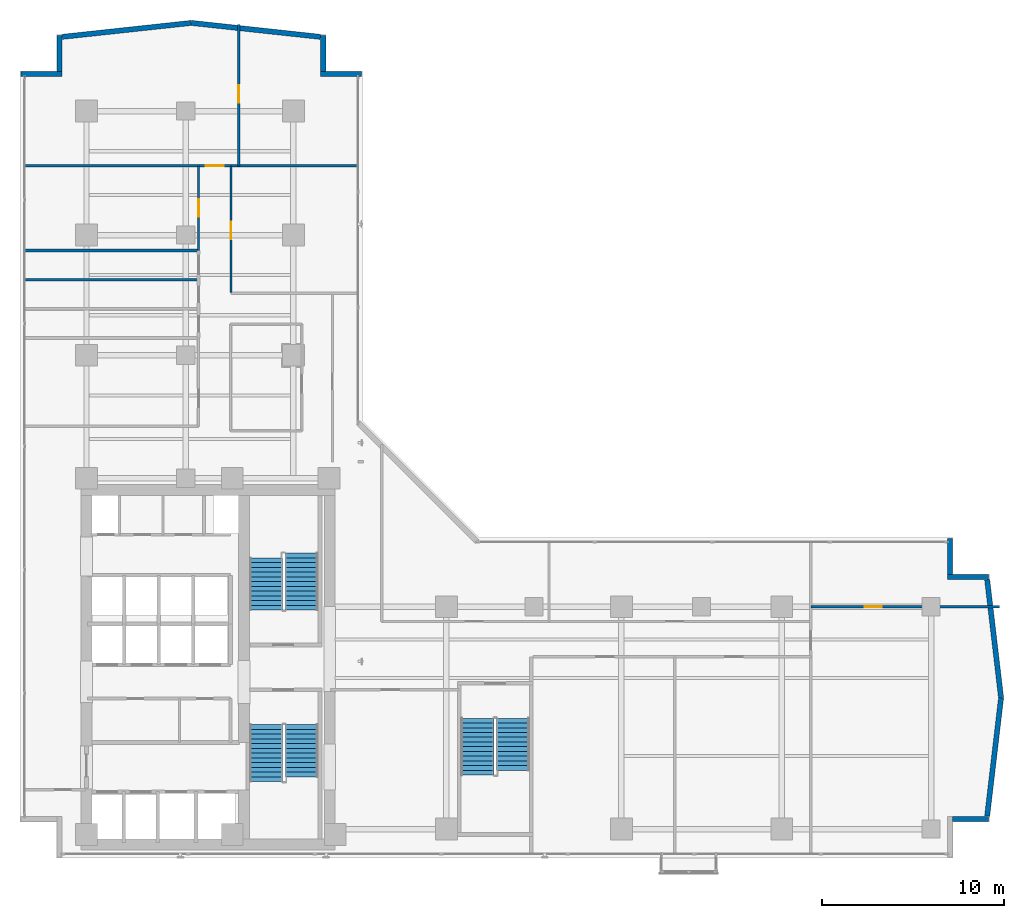
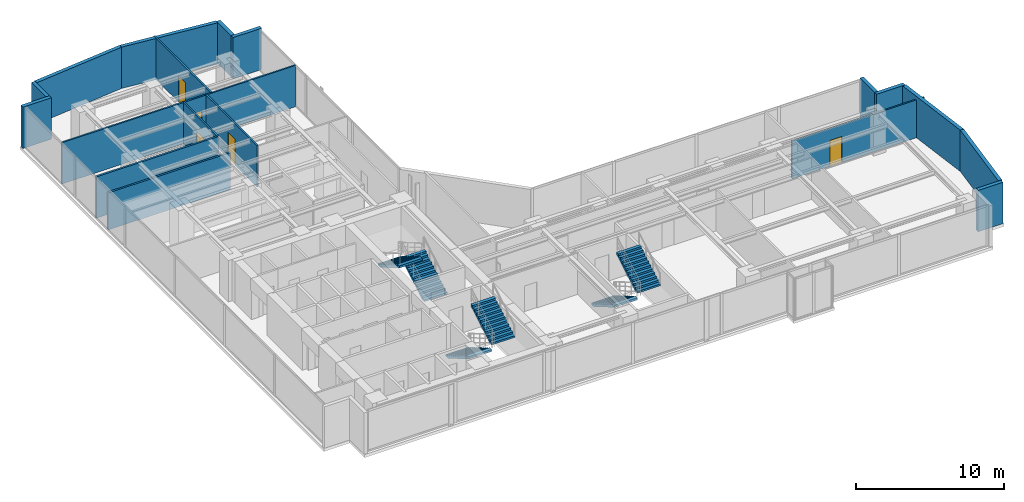
# One storey, part 21 of 26: 18 walls, 6 stair flights, 5 doors, 5 openings, 3 elements without a shape of their own.
"""IFC4 building model written with IfcOpenShell, lengths in metres."""

from ifc_helpers import new_model, si_unit, direction, frame, frame_2d, origin, place, context, subcontext, project, spatial, polyline, rectangle, outline, extrude, material, layer, layer_set, type_object, element, fill, aggregate, save


model = new_model("IFC4")

# Units and contexts
model_context = context("Model", 3, precision=1e-05, world=origin(), true_north=direction((0.0, 1.0)))
body_context = subcontext(model_context, "Body", "Model", "MODEL_VIEW")
ifc_project = project(units=[si_unit("LENGTHUNIT", "METRE"), si_unit("AREAUNIT", "SQUARE_METRE"), si_unit("VOLUMEUNIT", "CUBIC_METRE"), si_unit("PLANEANGLEUNIT", "RADIAN"), si_unit("MASSUNIT", "GRAM", prefix="KILO")], contexts=[model_context])

# Site, building, storey
site_placement = place(None, origin())
site = spatial("IfcSite", under=ifc_project, at=site_placement, CompositionType="ELEMENT")
building_placement = place(site_placement, origin())
building = spatial("IfcBuilding", under=site, at=building_placement, Name="Kolvaren Waterfront Exchange", CompositionType="ELEMENT")
storey_placement = place(building_placement, frame((0.0, 0.0, 195.60009765625)))
storey = spatial("IfcBuildingStorey", under=building, at=storey_placement, Name="L50", CompositionType="ELEMENT", Elevation=195.60009765625)

# Walls
ifc_material_1 = material(Name="Precast concrete C40/50", Category="concrete")
ifc_layer_1 = layer(ifc_material_1, 0.280029296875, Name="Precast concrete C40/50")
ifc_layer_set_1 = layer_set([ifc_layer_1], Name="Precast concrete C40/50")
wall_type_1 = type_object("IfcWallType", Name="ARC-EXT-TERR-280", PredefinedType="SOLIDWALL", material=ifc_layer_set_1)
wall_1_placement = place(storey_placement, frame((54.97998046875, 5.760009765625, 0.0), z_axis=(0.0, 0.0, 1.0), x_axis=(1.0, 0.0, 0.0)))
element("IfcWall", 1, at=wall_1_placement, inside=storey, type_object=wall_type_1, Name="L50 notched corner spandrel pier SE-B", PredefinedType="SOLIDWALL", context=body_context, shape_type="SweptSolid", body=[
    extrude(rectangle(XDim=1.9599609375, YDim=0.280029296875, at=frame_2d((0.97998046875, 0.0))), origin(), (0.0, 0.0, 1.0), 3.419921875),
])
wall_2_placement = place(storey_placement, frame((54.840087890625, 19.1650390625, 0.0), z_axis=(0.0, 0.0, 1.0), x_axis=(0.0, 1.0, 0.0)))
element("IfcWall", 2, at=wall_2_placement, inside=storey, type_object=wall_type_1, Name="L50 notched corner spandrel pier ENE-A", PredefinedType="SOLIDWALL", context=body_context, shape_type="SweptSolid", body=[
    extrude(rectangle(XDim=1.974853515625, YDim=0.280029296875, at=frame_2d((0.9873046875, 0.0))), origin(), (0.0, 0.0, 1.0), 3.419921875),
])
for number, where, z_axis, x_axis, name in (
    (3, (54.699951171875, 19.0400390625, 0.0), (0.0, 0.0, 1.0), (1.0, 0.0, 0.0), "L50 notched corner spandrel pier ENE-B"),
    (4, (20.300048828125, 46.639892578125, 0.0), (0.0, 0.0, 1.0), (1.0, 0.0, 0.0), "L50 notched corner spandrel pier NNE-A"),
):
    element("IfcWall", number, at=place(storey_placement, frame(where, z_axis=z_axis, x_axis=x_axis)), inside=storey, type_object=wall_type_1, Name=name, PredefinedType="SOLIDWALL", context=body_context, shape_type="SweptSolid", body=[
        extrude(rectangle(XDim=2.239990234375, YDim=0.280029296875, at=frame_2d((1.1201171875, 0.0))), origin(), (0.0, 0.0, 1.0), 3.419921875),
    ])
wall_3_placement = place(storey_placement, frame((20.43994140625, 46.780029296875, 0.0), z_axis=(0.0, 0.0, 1.0), x_axis=(0.0, 1.0, 0.0)))
element("IfcWall", 5, at=wall_3_placement, inside=storey, type_object=wall_type_1, Name="L50 notched corner spandrel pier NNE-B", PredefinedType="SOLIDWALL", context=body_context, shape_type="SweptSolid", body=[
    extrude(rectangle(XDim=1.9599609375, YDim=0.280029296875, at=frame_2d((0.97998046875, 0.0))), origin(), (0.0, 0.0, 1.0), 3.419921875),
])
wall_4_placement = place(storey_placement, frame((3.860107421875, 46.639892578125, 0.0), z_axis=(0.0, 0.0, 1.0), x_axis=(1.0, 0.0, 0.0)))
element("IfcWall", 6, at=wall_4_placement, inside=storey, type_object=wall_type_1, Name="L50 notched corner spandrel pier NW-A", PredefinedType="SOLIDWALL", context=body_context, shape_type="SweptSolid", body=[
    extrude(rectangle(XDim=2.239990234375, YDim=0.280029296875, at=frame_2d((1.1201171875, 0.0))), origin(), (0.0, 0.0, 1.0), 3.419921875),
])
wall_5_placement = place(storey_placement, frame((5.9599609375, 46.780029296875, 0.0), z_axis=(0.0, 0.0, 1.0), x_axis=(0.0, 1.0, 0.0)))
element("IfcWall", 7, at=wall_5_placement, inside=storey, type_object=wall_type_1, Name="L50 notched corner spandrel pier NW-B", PredefinedType="SOLIDWALL", context=body_context, shape_type="SweptSolid", body=[
    extrude(rectangle(XDim=1.9599609375, YDim=0.280029296875, at=frame_2d((0.97998046875, 0.0))), origin(), (0.0, 0.0, 1.0), 3.419921875),
])
for number, where, z_axis, x_axis, name in (
    (8, (56.876220703125, 5.91650390625, 0.0), (0.0, 0.0, 1.0), (0.11685426921, 0.993149072278, 0.0), "L50 east prow faceted facade wall 1"),
    (9, (57.638916015625, 12.401123046875, 0.0), (0.0, 0.0, 1.0), (-0.11685426921, 0.993149072278, 0.0), "L50 east prow faceted facade wall 2"),
):
    element("IfcWall", number, at=place(storey_placement, frame(where, z_axis=z_axis, x_axis=x_axis)), inside=storey, type_object=wall_type_1, Name=name, PredefinedType="SOLIDWALL", context=body_context, shape_type="SweptSolid", body=[
        extrude(rectangle(XDim=6.52685546875, YDim=0.280029296875, at=frame_2d((3.263427734375, 0.0))), origin(), (0.0, 0.0, 1.0), 3.419921875),
    ])
for number, where, z_axis, x_axis, name in (
    (10, (20.284423828125, 48.673095703125, 0.0), (0.0, 0.0, 1.0), (-0.994206651606, 0.107485505548, 0.0), "L50 north prow faceted facade wall 1"),
    (11, (13.197265625, 49.438720703125, 0.0), (0.0, 0.0, 1.0), (-0.994206651606, -0.107485505548, 0.0), "L50 north prow faceted facade wall 2"),
):
    element("IfcWall", number, at=place(storey_placement, frame(where, z_axis=z_axis, x_axis=x_axis)), inside=storey, type_object=wall_type_1, Name=name, PredefinedType="SOLIDWALL", context=body_context, shape_type="SweptSolid", body=[
        extrude(rectangle(XDim=7.123046875, YDim=0.280029296875, at=frame_2d((3.5615234375, 0.0))), origin(), (0.0, 0.0, 1.0), 3.419921875),
    ])

# Wall, opening, door
ifc_material_2 = material(Name="Acoustic gypsum steel stud", Category="steel")
ifc_layer_2 = layer(ifc_material_2, 0.125, Name="Acoustic gypsum steel stud")
ifc_layer_set_2 = layer_set([ifc_layer_2], Name="Acoustic gypsum steel stud")
wall_type_2 = type_object("IfcWallType", Name="ARC-PART-125", PredefinedType="PARTITIONING", material=ifc_layer_set_2)
wall_6_placement = place(storey_placement, frame((47.199951171875, 17.39990234375, 0.0), z_axis=(0.0, 0.0, 1.0), x_axis=(1.0, 0.0, 0.0)))
wall_6 = element("IfcWall", 12, at=wall_6_placement, inside=storey, type_object=wall_type_2, Name="L50 interior wall PW-L50-ETIP-MID", PredefinedType="PARTITIONING", context=body_context, shape_type="SweptSolid", body=[
    extrude(rectangle(XDim=10.360107421875, YDim=0.125, at=frame_2d((5.18017578125, 0.0))), origin(), (0.0, 0.0, 1.0), 3.119873046875),
])
opening_1_placement = place(wall_6_placement, frame((2.949951171875, 0.0, 0.0)))
opening_1 = element("IfcOpeningElement", 13, at=opening_1_placement, cuts=wall_6, Name="Opening D02", PredefinedType="OPENING", context=body_context, shape_type="SweptSolid", body=[
    extrude(rectangle(XDim=0.949951171875, YDim=2.14990234375, at=frame_2d((0.47509765625, 1.074951171875))), frame((0.0, 0.072509765625, 0.0), z_axis=(0.0, -1.0, 0.0), x_axis=(1.0, 0.0, 0.0)), (0.0, 0.0, 1.0), 0.14501953125),
])
ifc_material_3 = material(Name="Oak veneer acoustic timber", Category="wood")
door_type_1 = type_object("IfcDoorType", Name="ARC-DR-950", OperationType="NOTDEFINED", PredefinedType="DOOR", material=ifc_material_3)
door_1_placement = place(opening_1_placement, origin())
door_1 = element("IfcDoor", 14, at=door_1_placement, inside=storey, type_object=door_type_1, Name="L50 door DR-L50-ETIP2-D (D02)", OperationType="SINGLE_SWING_LEFT", OverallHeight=2.14990234375, OverallWidth=0.949951171875, PredefinedType="DOOR", context=body_context, shape_type="SweptSolid", body=[
    extrude(rectangle(XDim=0.949951171875, YDim=2.14990234375, at=frame_2d((0.47509765625, 1.074951171875))), frame((0.0, 0.02490234375, 0.0), z_axis=(0.0, -1.0, 0.0), x_axis=(1.0, 0.0, 0.0)), (0.0, 0.0, 1.0), 0.050048828125),
])
fill(opening_1, door_1)

wall_7_placement = place(storey_placement, frame((13.60009765625, 36.949951171875, 0.0), z_axis=(0.0, 0.0, 1.0), x_axis=(0.0, 1.0, 0.0)))
wall_7 = element("IfcWall", 15, at=wall_7_placement, inside=storey, type_object=wall_type_2, Name="L50 interior wall PW-L50-NW-CORR", PredefinedType="PARTITIONING", context=body_context, shape_type="SweptSolid", body=[
    extrude(rectangle(XDim=4.650146484375, YDim=0.125, at=frame_2d((2.3251953125, 0.0))), origin(), (0.0, 0.0, 1.0), 3.419921875),
])
opening_2_placement = place(wall_7_placement, frame((1.85009765625, 0.0, 0.0)))
opening_2 = element("IfcOpeningElement", 16, at=opening_2_placement, cuts=wall_7, Name="Opening D02", PredefinedType="OPENING", context=body_context, shape_type="SweptSolid", body=[
    extrude(rectangle(XDim=0.949951171875, YDim=2.14990234375, at=frame_2d((0.47509765625, 1.074951171875))), frame((0.0, 0.072509765625, 0.0), z_axis=(0.0, -1.0, 0.0), x_axis=(1.0, 0.0, 0.0)), (0.0, 0.0, 1.0), 0.14501953125),
])
door_2_placement = place(opening_2_placement, origin())
door_2 = element("IfcDoor", 17, at=door_2_placement, inside=storey, type_object=door_type_1, Name="L50 door DR-L50-NW-D-1 (D02)", OperationType="SINGLE_SWING_RIGHT", OverallHeight=2.14990234375, OverallWidth=0.949951171875, PredefinedType="DOOR", context=body_context, shape_type="SweptSolid", body=[
    extrude(rectangle(XDim=0.949951171875, YDim=2.14990234375, at=frame_2d((0.47509765625, 1.074951171875))), frame((0.0, 0.02490234375, 0.0), z_axis=(0.0, -1.0, 0.0), x_axis=(1.0, 0.0, 0.0)), (0.0, 0.0, 1.0), 0.050048828125),
])
fill(opening_2, door_2)

wall_8_placement = place(storey_placement, frame((4.0400390625, 41.60009765625, 0.0), z_axis=(0.0, 0.0, 1.0), x_axis=(1.0, 0.0, 0.0)))
wall_8 = element("IfcWall", 18, at=wall_8_placement, inside=storey, type_object=wall_type_2, Name="L50 interior wall PW-L50-NTIP-S", PredefinedType="PARTITIONING", context=body_context, shape_type="SweptSolid", body=[
    extrude(rectangle(XDim=18.320068359375, YDim=0.125, at=frame_2d((9.16015625, 0.0))), origin(), (0.0, 0.0, 1.0), 3.419921875),
])
opening_3_placement = place(wall_8_placement, frame((9.949951171875, 0.0, 0.0)))
opening_3 = element("IfcOpeningElement", 19, at=opening_3_placement, cuts=wall_8, Name="Opening D03", PredefinedType="OPENING", context=body_context, shape_type="SweptSolid", body=[
    extrude(rectangle(XDim=1.0, YDim=2.199951171875, at=frame_2d((0.5, 1.10009765625))), frame((0.0, 0.072509765625, 0.0), z_axis=(0.0, -1.0, 0.0), x_axis=(1.0, 0.0, 0.0)), (0.0, 0.0, 1.0), 0.14501953125),
])
ifc_material_4 = material(Name="Oak veneer accessible timber", Category="wood")
door_type_2 = type_object("IfcDoorType", Name="ARC-DR-1000", OperationType="NOTDEFINED", PredefinedType="DOOR", material=ifc_material_4)
door_3_placement = place(opening_3_placement, origin())
door_3 = element("IfcDoor", 20, at=door_3_placement, inside=storey, type_object=door_type_2, Name="L50 door DR-L50-NTIPW-D (D03)", OperationType="SINGLE_SWING_LEFT", OverallHeight=2.199951171875, OverallWidth=1.0, PredefinedType="DOOR", context=body_context, shape_type="SweptSolid", body=[
    extrude(rectangle(XDim=1.0, YDim=2.199951171875, at=frame_2d((0.5, 1.10009765625))), frame((0.0, 0.02490234375, 0.0), z_axis=(0.0, -1.0, 0.0), x_axis=(1.0, 0.0, 0.0)), (0.0, 0.0, 1.0), 0.050048828125),
])
fill(opening_3, door_3)

wall_9_placement = place(storey_placement, frame((15.800048828125, 41.60009765625, 0.0), z_axis=(0.0, 0.0, 1.0), x_axis=(0.0, 1.0, 0.0)))
wall_9 = element("IfcWall", 21, at=wall_9_placement, inside=storey, type_object=wall_type_2, Name="L50 interior wall PW-L50-NTIP-DIV", PredefinedType="PARTITIONING", context=body_context, shape_type="SweptSolid", body=[
    extrude(rectangle(XDim=7.760009765625, YDim=0.125, at=frame_2d((3.8798828125, 0.0))), origin(), (0.0, 0.0, 1.0), 3.419921875),
])
opening_4_placement = place(wall_9_placement, frame((3.470458984375, 0.0, 0.0)))
opening_4 = element("IfcOpeningElement", 22, at=opening_4_placement, cuts=wall_9, Name="Opening D02", PredefinedType="OPENING", context=body_context, shape_type="SweptSolid", body=[
    extrude(rectangle(XDim=0.949951171875, YDim=2.14990234375, at=frame_2d((0.47509765625, 1.074951171875))), frame((0.0, 0.072509765625, 0.0), z_axis=(0.0, -1.0, 0.0), x_axis=(1.0, 0.0, 0.0)), (0.0, 0.0, 1.0), 0.14501953125),
])
door_4_placement = place(opening_4_placement, origin())
door_4 = element("IfcDoor", 23, at=door_4_placement, inside=storey, type_object=door_type_1, Name="L50 door DR-L50-NTIPE-D (D02)", OperationType="SINGLE_SWING_RIGHT", OverallHeight=2.14990234375, OverallWidth=0.949951171875, PredefinedType="DOOR", context=body_context, shape_type="SweptSolid", body=[
    extrude(rectangle(XDim=0.949951171875, YDim=2.14990234375, at=frame_2d((0.47509765625, 1.074951171875))), frame((0.0, 0.02490234375, 0.0), z_axis=(0.0, -1.0, 0.0), x_axis=(1.0, 0.0, 0.0)), (0.0, 0.0, 1.0), 0.050048828125),
])
fill(opening_4, door_4)

wall_10_placement = place(storey_placement, frame((15.3798828125, 34.64990234375, 0.0), z_axis=(0.0, 0.0, 1.0), x_axis=(0.0, 1.0, 0.0)))
wall_10 = element("IfcWall", 24, at=wall_10_placement, inside=storey, type_object=wall_type_2, Name="L50 interior wall PW-L50-NE-CORR", PredefinedType="PARTITIONING", context=body_context, shape_type="SweptSolid", body=[
    extrude(rectangle(XDim=6.9501953125, YDim=0.125, at=frame_2d((3.47509765625, 0.0))), origin(), (0.0, 0.0, 1.0), 3.419921875),
])
opening_5_placement = place(wall_10_placement, frame((2.9296875, 0.0, 0.0)))
opening_5 = element("IfcOpeningElement", 25, at=opening_5_placement, cuts=wall_10, Name="Opening D02", PredefinedType="OPENING", context=body_context, shape_type="SweptSolid", body=[
    extrude(rectangle(XDim=0.949951171875, YDim=2.14990234375, at=frame_2d((0.47509765625, 1.074951171875))), frame((0.0, 0.072509765625, 0.0), z_axis=(0.0, -1.0, 0.0), x_axis=(1.0, 0.0, 0.0)), (0.0, 0.0, 1.0), 0.14501953125),
])
door_5_placement = place(opening_5_placement, origin())
door_5 = element("IfcDoor", 26, at=door_5_placement, inside=storey, type_object=door_type_1, Name="L50 door DR-L50-NE-D-1 (D02)", OperationType="SINGLE_SWING_LEFT", OverallHeight=2.14990234375, OverallWidth=0.949951171875, PredefinedType="DOOR", context=body_context, shape_type="SweptSolid", body=[
    extrude(rectangle(XDim=0.949951171875, YDim=2.14990234375, at=frame_2d((0.47509765625, 1.074951171875))), frame((0.0, 0.02490234375, 0.0), z_axis=(0.0, -1.0, 0.0), x_axis=(1.0, 0.0, 0.0)), (0.0, 0.0, 1.0), 0.050048828125),
])
fill(opening_5, door_5)

# Walls
ifc_material_5 = material(Name="Moisture-resistant gypsum stud")
ifc_layer_3 = layer(ifc_material_5, 0.14990234375, Name="Moisture-resistant gypsum stud")
ifc_layer_set_3 = layer_set([ifc_layer_3], Name="Moisture-resistant gypsum stud")
wall_type_3 = type_object("IfcWallType", Name="ARC-PLUMB-150", PredefinedType="PLUMBINGWALL", material=ifc_layer_set_3)
wall_11_placement = place(storey_placement, frame((4.0400390625, 35.35009765625, 0.0), z_axis=(0.0, 0.0, 1.0), x_axis=(1.0, 0.0, 0.0)))
element("IfcWall", 27, at=wall_11_placement, inside=storey, type_object=wall_type_3, Name="L50 interior wall PW-L50-WC-2", PredefinedType="PLUMBINGWALL", context=body_context, shape_type="SweptSolid", body=[
    extrude(rectangle(XDim=9.56005859375, YDim=0.14990234375, at=frame_2d((4.780029296875, 0.0))), origin(), (0.0, 0.0, 1.0), 3.059814453125),
])
wall_12_placement = place(storey_placement, frame((4.0400390625, 36.949951171875, 0.0), z_axis=(0.0, 0.0, 1.0), x_axis=(1.0, 0.0, 0.0)))
element("IfcWall", 28, at=wall_12_placement, inside=storey, type_object=wall_type_3, Name="L50 interior wall PW-L50-WC-3", PredefinedType="PLUMBINGWALL", context=body_context, shape_type="SweptSolid", body=[
    extrude(rectangle(XDim=9.56005859375, YDim=0.14990234375, at=frame_2d((4.780029296875, 0.0))), origin(), (0.0, 0.0, 1.0), 3.419921875),
])

# Stair, stair flights
ifc_material_6 = material(Name="Concrete C40/50", Category="concrete")
stair_type = type_object("IfcStairType", Name="ARC-STAIR-3800", PredefinedType="HALF_TURN_STAIR", material=ifc_material_6)
stair_1_placement = place(storey_placement, origin())
stair_1 = element("IfcStair", 29, at=stair_1_placement, inside=storey, type_object=stair_type, Name="L50 Smoke-proof exit stair ST1", PredefinedType="HALF_TURN_STAIR")
stair_flight_type = type_object("IfcStairFlightType", Name="ARC-FLIGHT-3800", PredefinedType="STRAIGHT", material=ifc_material_6)
stair_flight_1_placement = place(storey_placement, frame((17.300048828125, 10.929931640625, 0.0), z_axis=(0.0, 0.0, 1.0), x_axis=(0.0, -1.0, 0.0)))
stair_flight_1 = element("IfcStairFlight", 30, at=stair_flight_1_placement, type_object=stair_flight_type, Name="ST1 flight 1", NumberOfRisers=13, NumberOfTreads=12, PredefinedType="STRAIGHT", RiserHeight=0.152, TreadLength=0.26, context=body_context, shape_type="SweptSolid", body=[
    extrude(outline(polyline([(0.0, 0.0), (0.0, 0.152099609375), (0.260009765625, 0.152099609375), (0.260009765625, 0.303955078125), (0.52001953125, 0.303955078125), (0.52001953125, 0.4560546875), (0.780029296875, 0.4560546875), (0.780029296875, 0.60791015625), (1.0400390625, 0.60791015625), (1.0400390625, 0.760009765625), (1.300048828125, 0.760009765625), (1.300048828125, 0.912109375), (1.56005859375, 0.912109375), (1.56005859375, 1.06396484375), (1.820068359375, 1.06396484375), (1.820068359375, 1.216064453125), (2.080078125, 1.216064453125), (2.080078125, 1.367919921875), (2.340087890625, 1.367919921875), (2.340087890625, 1.52001953125), (2.60009765625, 1.52001953125), (2.60009765625, 1.672119140625), (2.860107421875, 1.672119140625), (2.860107421875, 1.823974609375), (3.1201171875, 1.823974609375), (3.1201171875, 1.97607421875), (3.1201171875, 1.650390625), (0.297119140625, 0.0), (0.0, 0.0)])), frame((0.0, 0.89990234375, 0.0), z_axis=(0.0, -1.0, 0.0), x_axis=(1.0, 0.0, 0.0)), (0.0, 0.0, 1.0), 1.800048828125),
])
stair_flight_2_placement = place(storey_placement, frame((19.260009765625, 8.070068359375, 1.975830078125), z_axis=(0.0, 0.0, 1.0), x_axis=(0.0, 1.0, 0.0)))
stair_flight_2 = element("IfcStairFlight", 31, at=stair_flight_2_placement, type_object=stair_flight_type, Name="ST1 flight 2", NumberOfRisers=12, NumberOfTreads=11, PredefinedType="STRAIGHT", RiserHeight=0.152, TreadLength=0.26, context=body_context, shape_type="SweptSolid", body=[
    extrude(outline(polyline([(0.0, 0.0), (0.0, 0.152099609375), (0.260009765625, 0.152099609375), (0.260009765625, 0.303955078125), (0.52001953125, 0.303955078125), (0.52001953125, 0.4560546875), (0.780029296875, 0.4560546875), (0.780029296875, 0.60791015625), (1.0400390625, 0.60791015625), (1.0400390625, 0.760009765625), (1.300048828125, 0.760009765625), (1.300048828125, 0.912109375), (1.56005859375, 0.912109375), (1.56005859375, 1.06396484375), (1.820068359375, 1.06396484375), (1.820068359375, 1.216064453125), (2.080078125, 1.216064453125), (2.080078125, 1.367919921875), (2.340087890625, 1.367919921875), (2.340087890625, 1.52001953125), (2.60009765625, 1.52001953125), (2.60009765625, 1.672119140625), (2.860107421875, 1.672119140625), (2.860107421875, 1.823974609375), (2.860107421875, 1.498291015625), (0.297119140625, 0.0), (0.0, 0.0)])), frame((0.0, 0.89990234375, 0.0), z_axis=(0.0, -1.0, 0.0), x_axis=(1.0, 0.0, 0.0)), (0.0, 0.0, 1.0), 1.800048828125),
])
aggregate(stair_1, [stair_flight_1, stair_flight_2])

stair_2_placement = place(storey_placement, origin())
stair_2 = element("IfcStair", 32, at=stair_2_placement, inside=storey, type_object=stair_type, Name="L50 Smoke-proof exit stair ST2", PredefinedType="HALF_TURN_STAIR")
stair_flight_3_placement = place(storey_placement, frame((19.260009765625, 17.219970703125, 0.0), z_axis=(0.0, 0.0, 1.0), x_axis=(0.0, 1.0, 0.0)))
stair_flight_3 = element("IfcStairFlight", 33, at=stair_flight_3_placement, type_object=stair_flight_type, Name="ST2 flight 1", NumberOfRisers=13, NumberOfTreads=12, PredefinedType="STRAIGHT", RiserHeight=0.152, TreadLength=0.26, context=body_context, shape_type="SweptSolid", body=[
    extrude(outline(polyline([(0.0, 0.0), (0.0, 0.152099609375), (0.260009765625, 0.152099609375), (0.260009765625, 0.303955078125), (0.52001953125, 0.303955078125), (0.52001953125, 0.4560546875), (0.780029296875, 0.4560546875), (0.780029296875, 0.60791015625), (1.0400390625, 0.60791015625), (1.0400390625, 0.760009765625), (1.300048828125, 0.760009765625), (1.300048828125, 0.912109375), (1.56005859375, 0.912109375), (1.56005859375, 1.06396484375), (1.820068359375, 1.06396484375), (1.820068359375, 1.216064453125), (2.080078125, 1.216064453125), (2.080078125, 1.367919921875), (2.340087890625, 1.367919921875), (2.340087890625, 1.52001953125), (2.60009765625, 1.52001953125), (2.60009765625, 1.672119140625), (2.860107421875, 1.672119140625), (2.860107421875, 1.823974609375), (3.1201171875, 1.823974609375), (3.1201171875, 1.97607421875), (3.1201171875, 1.650390625), (0.297119140625, 0.0), (0.0, 0.0)])), frame((0.0, 0.89990234375, 0.0), z_axis=(0.0, -1.0, 0.0), x_axis=(1.0, 0.0, 0.0)), (0.0, 0.0, 1.0), 1.800048828125),
])
stair_flight_4_placement = place(storey_placement, frame((17.300048828125, 20.080078125, 1.975830078125), z_axis=(0.0, 0.0, 1.0), x_axis=(0.0, -1.0, 0.0)))
stair_flight_4 = element("IfcStairFlight", 34, at=stair_flight_4_placement, type_object=stair_flight_type, Name="ST2 flight 2", NumberOfRisers=12, NumberOfTreads=11, PredefinedType="STRAIGHT", RiserHeight=0.152, TreadLength=0.26, context=body_context, shape_type="SweptSolid", body=[
    extrude(outline(polyline([(0.0, 0.0), (0.0, 0.152099609375), (0.260009765625, 0.152099609375), (0.260009765625, 0.303955078125), (0.52001953125, 0.303955078125), (0.52001953125, 0.4560546875), (0.780029296875, 0.4560546875), (0.780029296875, 0.60791015625), (1.0400390625, 0.60791015625), (1.0400390625, 0.760009765625), (1.300048828125, 0.760009765625), (1.300048828125, 0.912109375), (1.56005859375, 0.912109375), (1.56005859375, 1.06396484375), (1.820068359375, 1.06396484375), (1.820068359375, 1.216064453125), (2.080078125, 1.216064453125), (2.080078125, 1.367919921875), (2.340087890625, 1.367919921875), (2.340087890625, 1.52001953125), (2.60009765625, 1.52001953125), (2.60009765625, 1.672119140625), (2.860107421875, 1.672119140625), (2.860107421875, 1.823974609375), (2.860107421875, 1.498291015625), (0.297119140625, 0.0), (0.0, 0.0)])), frame((0.0, 0.89990234375, 0.0), z_axis=(0.0, -1.0, 0.0), x_axis=(1.0, 0.0, 0.0)), (0.0, 0.0, 1.0), 1.800048828125),
])
aggregate(stair_2, [stair_flight_3, stair_flight_4])

stair_3_placement = place(storey_placement, origin())
stair_3 = element("IfcStair", 35, at=stair_3_placement, inside=storey, type_object=stair_type, Name="L50 Exit stair ST3", PredefinedType="HALF_TURN_STAIR")
stair_flight_5_placement = place(storey_placement, frame((28.89990234375, 11.280029296875, 0.0), z_axis=(0.0, 0.0, 1.0), x_axis=(0.0, -1.0, 0.0)))
stair_flight_5 = element("IfcStairFlight", 36, at=stair_flight_5_placement, type_object=stair_flight_type, Name="ST3 flight 1", NumberOfRisers=13, NumberOfTreads=12, PredefinedType="STRAIGHT", RiserHeight=0.152, TreadLength=0.26, context=body_context, shape_type="SweptSolid", body=[
    extrude(outline(polyline([(0.0, 0.0), (0.0, 0.152099609375), (0.260009765625, 0.152099609375), (0.260009765625, 0.303955078125), (0.52001953125, 0.303955078125), (0.52001953125, 0.4560546875), (0.780029296875, 0.4560546875), (0.780029296875, 0.60791015625), (1.0400390625, 0.60791015625), (1.0400390625, 0.760009765625), (1.300048828125, 0.760009765625), (1.300048828125, 0.912109375), (1.56005859375, 0.912109375), (1.56005859375, 1.06396484375), (1.820068359375, 1.06396484375), (1.820068359375, 1.216064453125), (2.080078125, 1.216064453125), (2.080078125, 1.367919921875), (2.340087890625, 1.367919921875), (2.340087890625, 1.52001953125), (2.60009765625, 1.52001953125), (2.60009765625, 1.672119140625), (2.860107421875, 1.672119140625), (2.860107421875, 1.823974609375), (3.1201171875, 1.823974609375), (3.1201171875, 1.97607421875), (3.1201171875, 1.650390625), (0.297119140625, 0.0), (0.0, 0.0)])), frame((0.0, 0.89990234375, 0.0), z_axis=(0.0, -1.0, 0.0), x_axis=(1.0, 0.0, 0.0)), (0.0, 0.0, 1.0), 1.800048828125),
])
stair_flight_6_placement = place(storey_placement, frame((30.860107421875, 8.419921875, 1.975830078125), z_axis=(0.0, 0.0, 1.0), x_axis=(0.0, 1.0, 0.0)))
stair_flight_6 = element("IfcStairFlight", 37, at=stair_flight_6_placement, type_object=stair_flight_type, Name="ST3 flight 2", NumberOfRisers=12, NumberOfTreads=11, PredefinedType="STRAIGHT", RiserHeight=0.152, TreadLength=0.26, context=body_context, shape_type="SweptSolid", body=[
    extrude(outline(polyline([(0.0, 0.0), (0.0, 0.152099609375), (0.260009765625, 0.152099609375), (0.260009765625, 0.303955078125), (0.52001953125, 0.303955078125), (0.52001953125, 0.4560546875), (0.780029296875, 0.4560546875), (0.780029296875, 0.60791015625), (1.0400390625, 0.60791015625), (1.0400390625, 0.760009765625), (1.300048828125, 0.760009765625), (1.300048828125, 0.912109375), (1.56005859375, 0.912109375), (1.56005859375, 1.06396484375), (1.820068359375, 1.06396484375), (1.820068359375, 1.216064453125), (2.080078125, 1.216064453125), (2.080078125, 1.367919921875), (2.340087890625, 1.367919921875), (2.340087890625, 1.52001953125), (2.60009765625, 1.52001953125), (2.60009765625, 1.672119140625), (2.860107421875, 1.672119140625), (2.860107421875, 1.823974609375), (2.860107421875, 1.498291015625), (0.297119140625, 0.0), (0.0, 0.0)])), frame((0.0, 0.89990234375, 0.0), z_axis=(0.0, -1.0, 0.0), x_axis=(1.0, 0.0, 0.0)), (0.0, 0.0, 1.0), 1.800048828125),
])
aggregate(stair_3, [stair_flight_5, stair_flight_6])

save(model, "model.ifc")
